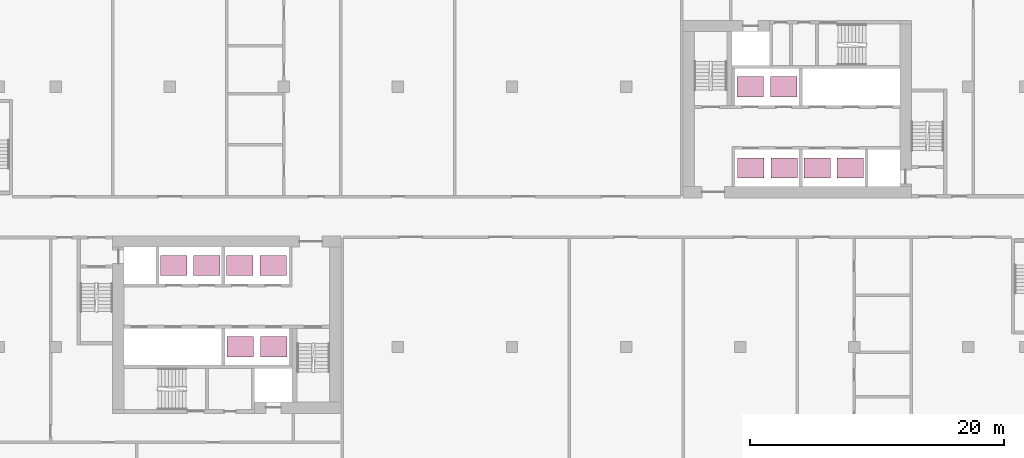
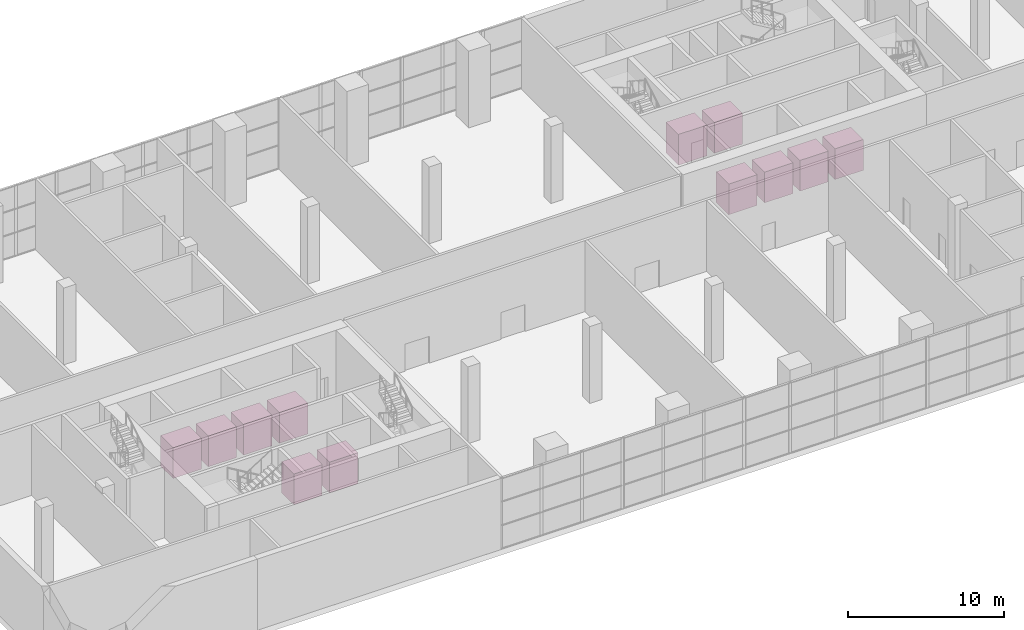
# One storey, part 27 of 27: 12 transport elements.
"""IFC4 building model written with IfcOpenShell, lengths in metres."""

from ifc_helpers import new_model, si_unit, direction, frame, origin, origin_2d, place, context, subcontext, project, spatial, rectangle, extrude, material, type_object, element, save


model = new_model("IFC4")

# Units and contexts
model_context = context("Model", 3, precision=1e-05, world=origin(), true_north=direction((0.0, 1.0)))
body_context = subcontext(model_context, "Body", "Model", "MODEL_VIEW")
ifc_project = project(units=[si_unit("LENGTHUNIT", "METRE"), si_unit("AREAUNIT", "SQUARE_METRE"), si_unit("VOLUMEUNIT", "CUBIC_METRE"), si_unit("PLANEANGLEUNIT", "RADIAN"), si_unit("MASSUNIT", "GRAM", prefix="KILO")], contexts=[model_context])

# Site, building, storey
site_placement = place(None, origin())
site = spatial("IfcSite", under=ifc_project, at=site_placement, CompositionType="ELEMENT")
building_placement = place(site_placement, origin())
building = spatial("IfcBuilding", under=site, at=building_placement, Name="Kajstack Hotel Tower", CompositionType="ELEMENT")
storey_placement = place(building_placement, frame((0.0, 0.0, 11.0)))
storey = spatial("IfcBuildingStorey", under=building, at=storey_placement, Name="L01", CompositionType="ELEMENT", Elevation=11.0)

# Transport elements
ifc_material = material(Name="Stainless steel", Category="steel")
transport_element_type_1 = type_object("IfcTransportElementType", Name="Passenger lift high-rise", PredefinedType="ELEVATOR", material=ifc_material)
for number, where, z_axis, x_axis, name in (
    (1, (-21.47509765625, -3.85009765625, 0.0), (0.0, 0.0, 1.0), (1.0, 0.0, 0.0), "Passenger lift HR1"),
    (2, (-18.824951171875, -3.85009765625, 0.0), (0.0, 0.0, 1.0), (1.0, 0.0, 0.0), "Passenger lift HR2"),
    (3, (21.47509765625, 3.85009765625, 0.0), (0.0, 0.0, 1.0), (1.0, 0.0, 0.0), "Passenger lift HR3"),
    (4, (18.824951171875, 3.85009765625, 0.0), (0.0, 0.0, 1.0), (1.0, 0.0, 0.0), "Passenger lift HR4"),
):
    element("IfcTransportElement", number, at=place(storey_placement, frame(where, z_axis=z_axis, x_axis=x_axis)), inside=storey, type_object=transport_element_type_1, Name=name, PredefinedType="ELEVATOR", context=body_context, shape_type="SweptSolid", body=[
        extrude(rectangle(XDim=2.10009765625, YDim=1.60009765625, at=origin_2d()), origin(), (0.0, 0.0, 1.0), 2.39990234375),
    ])
transport_element_type_2 = type_object("IfcTransportElementType", Name="Passenger lift mid-rise", PredefinedType="ELEVATOR", material=ifc_material)
for number, where, z_axis, x_axis, name in (
    (5, (-21.449951171875, -10.25, 0.0), (0.0, 0.0, 1.0), (1.0, 0.0, 0.0), "Passenger lift MR1"),
    (6, (-18.800048828125, -10.25, 0.0), (0.0, 0.0, 1.0), (1.0, 0.0, 0.0), "Passenger lift MR2"),
    (7, (-26.675048828125, -3.85009765625, 0.0), (0.0, 0.0, 1.0), (1.0, 0.0, 0.0), "Passenger lift MR3"),
    (8, (-24.074951171875, -3.85009765625, 0.0), (0.0, 0.0, 1.0), (1.0, 0.0, 0.0), "Passenger lift MR4"),
    (9, (21.449951171875, 10.25, 0.0), (0.0, 0.0, 1.0), (1.0, 0.0, 0.0), "Passenger lift MR5"),
    (10, (18.800048828125, 10.25, 0.0), (0.0, 0.0, 1.0), (1.0, 0.0, 0.0), "Passenger lift MR6"),
    (11, (26.675048828125, 3.85009765625, 0.0), (0.0, 0.0, 1.0), (1.0, 0.0, 0.0), "Passenger lift MR7"),
    (12, (24.074951171875, 3.85009765625, 0.0), (0.0, 0.0, 1.0), (1.0, 0.0, 0.0), "Passenger lift MR8"),
):
    element("IfcTransportElement", number, at=place(storey_placement, frame(where, z_axis=z_axis, x_axis=x_axis)), inside=storey, type_object=transport_element_type_2, Name=name, PredefinedType="ELEVATOR", context=body_context, shape_type="SweptSolid", body=[
        extrude(rectangle(XDim=2.10009765625, YDim=1.60009765625, at=origin_2d()), origin(), (0.0, 0.0, 1.0), 2.39990234375),
    ])

save(model, "model.ifc")
